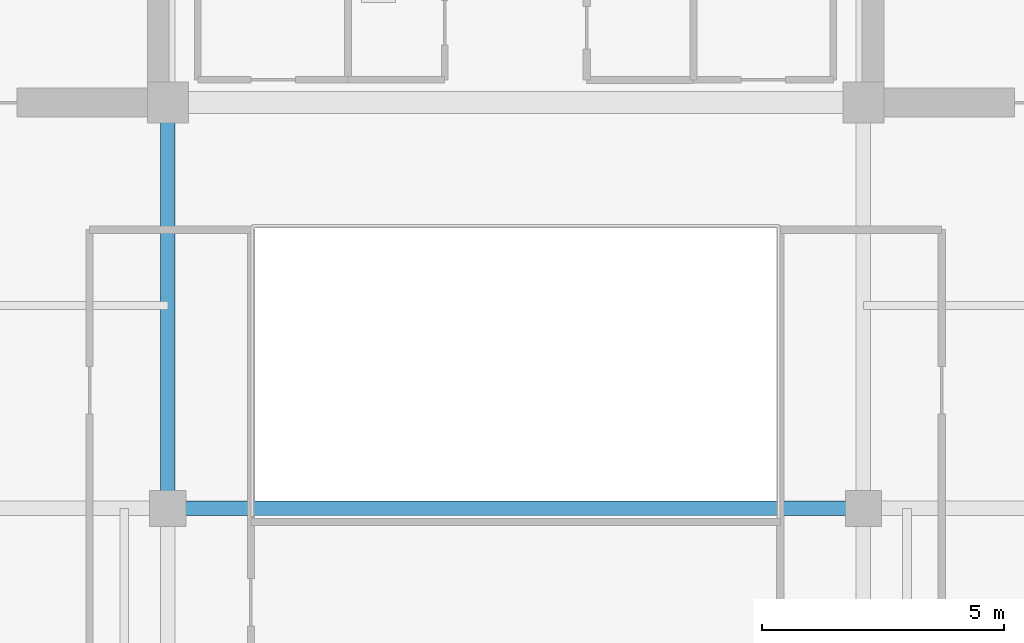
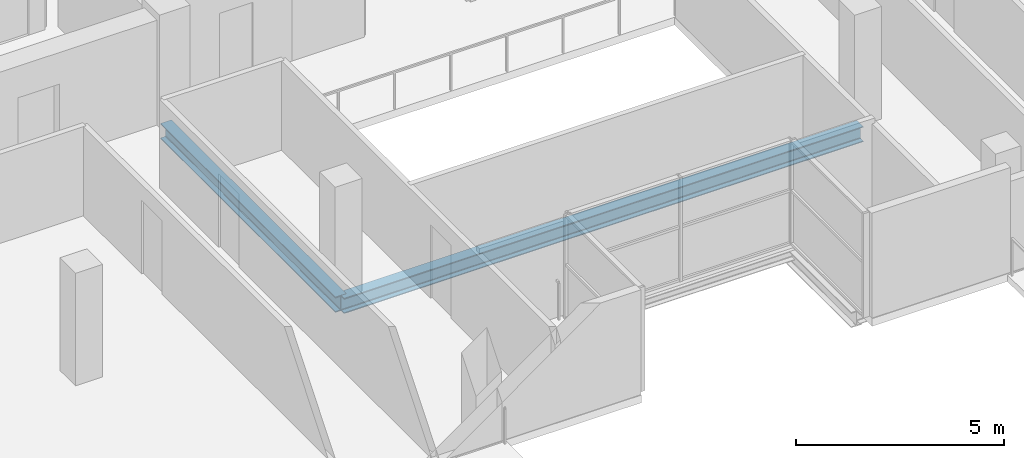
# One storey, part 5 of 22: 2 beams.
"""IFC4 building model written with IfcOpenShell, lengths in metres."""

from ifc_helpers import new_model, si_unit, direction, frame, origin, origin_2d, place, context, subcontext, project, spatial, i_section, extrude, material, material_profile, profile_set, type_object, element, save


model = new_model("IFC4")

# Units and contexts
model_context = context("Model", 3, precision=1e-05, world=origin(), true_north=direction((0.0, 1.0)))
body_context = subcontext(model_context, "Body", "Model", "MODEL_VIEW")
ifc_project = project(units=[si_unit("LENGTHUNIT", "METRE"), si_unit("AREAUNIT", "SQUARE_METRE"), si_unit("VOLUMEUNIT", "CUBIC_METRE"), si_unit("PLANEANGLEUNIT", "RADIAN"), si_unit("MASSUNIT", "GRAM", prefix="KILO")], contexts=[model_context])

# Site, building, storey
site_placement = place(None, origin())
site = spatial("IfcSite", under=ifc_project, at=site_placement, CompositionType="ELEMENT")
building_placement = place(site_placement, origin())
building = spatial("IfcBuilding", under=site, at=building_placement, Name="Zarnakvel Exchange Tower", CompositionType="ELEMENT")
storey_placement = place(building_placement, frame((0.0, 0.0, 222.10009765625)))
storey = spatial("IfcBuildingStorey", under=building, at=storey_placement, Name="L62", CompositionType="ELEMENT", Elevation=222.10009765625)

# Beams
ifc_material = material(Name="Steel S355", Category="steel")
ifc_material_profile = material_profile(ifc_material, i_section(OverallWidth=0.300048828125, OverallDepth=0.449951171875, WebThickness=0.013916015625, FlangeThickness=0.02587890625, FilletRadius=0.027099609375, at=origin_2d()))
ifc_profile_set = profile_set([ifc_material_profile], Name="Steel S355")
beam_type = type_object("IfcBeamType", Name="G-07", PredefinedType="BEAM", material=ifc_profile_set)
beam_1_placement = place(storey_placement, frame((-7.199951171875, -9.60009765625, -0.4501953125), z_axis=(1.0, 0.0, 0.0), x_axis=(0.0, 1.0, 0.0)))
element("IfcBeam", 1, at=beam_1_placement, inside=storey, type_object=beam_type, Name="L62 Tower E-W Frame Beam", PredefinedType="BEAM", context=body_context, shape_type="SweptSolid", body=[
    extrude(i_section(OverallWidth=0.300048828125, OverallDepth=0.449951171875, WebThickness=0.013916015625, FlangeThickness=0.02587890625, FilletRadius=0.027099609375, at=origin_2d()), origin(), (0.0, 0.0, 1.0), 14.39990234375),
])
beam_2_placement = place(storey_placement, frame((-7.199951171875, -9.60009765625, -0.4501953125), z_axis=(0.0, 1.0, 0.0), x_axis=(-1.0, 0.0, 0.0)))
element("IfcBeam", 2, at=beam_2_placement, inside=storey, type_object=beam_type, Name="L62 Tower N-S Frame Beam", PredefinedType="BEAM", context=body_context, shape_type="SweptSolid", body=[
    extrude(i_section(OverallWidth=0.300048828125, OverallDepth=0.449951171875, WebThickness=0.013916015625, FlangeThickness=0.02587890625, FilletRadius=0.027099609375, at=origin_2d()), origin(), (0.0, 0.0, 1.0), 8.400146484375),
])

save(model, "model.ifc")
